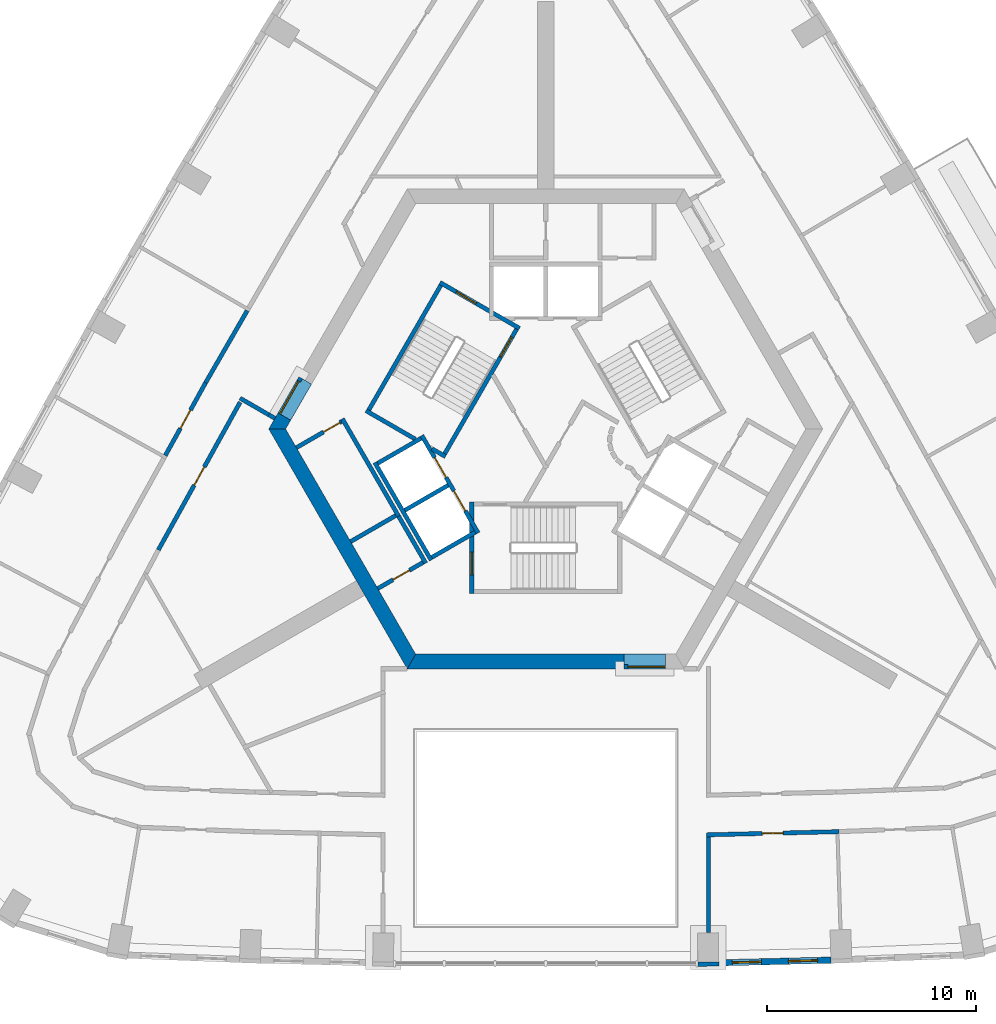
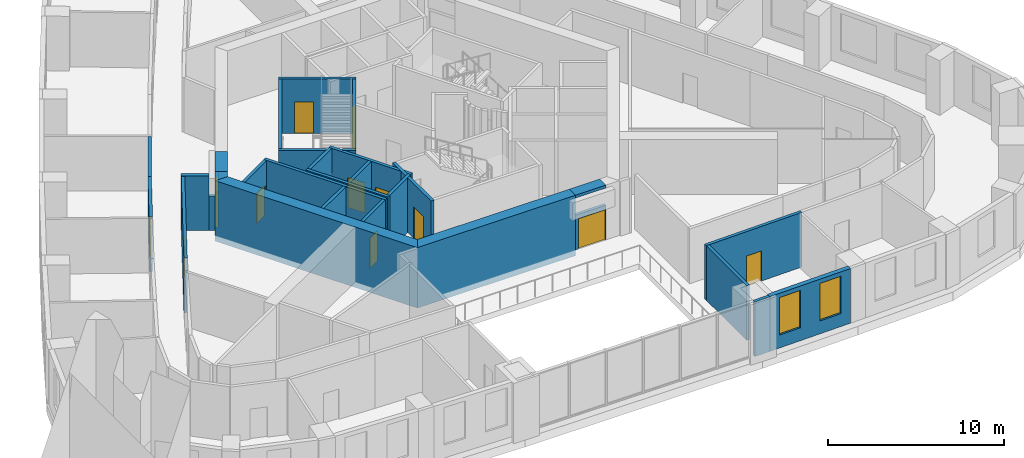
# One storey, part 5 of 13: 32 walls, 12 doors, 2 windows, 14 openings.
"""IFC4 building model written with IfcOpenShell, lengths in metres."""

from ifc_helpers import new_model, si_unit, direction, frame, frame_2d, origin, place, context, subcontext, project, spatial, polyline, rectangle, outline, extrude, material, layer, layer_set, type_object, element, fill, save


model = new_model("IFC4")

# Units and contexts
model_context = context("Model", 3, precision=1e-05, world=origin(), true_north=direction((0.0, 1.0)))
body_context = subcontext(model_context, "Body", "Model", "MODEL_VIEW")
ifc_project = project(units=[si_unit("LENGTHUNIT", "METRE"), si_unit("AREAUNIT", "SQUARE_METRE"), si_unit("VOLUMEUNIT", "CUBIC_METRE"), si_unit("PLANEANGLEUNIT", "RADIAN"), si_unit("MASSUNIT", "GRAM", prefix="KILO")], contexts=[model_context])

# Site, building, storey
site_placement = place(None, origin())
site = spatial("IfcSite", under=ifc_project, at=site_placement, CompositionType="ELEMENT")
building_placement = place(site_placement, origin())
building = spatial("IfcBuilding", under=site, at=building_placement, Name="Entoto Arch Interchange Tower", CompositionType="ELEMENT")
storey_placement = place(building_placement, frame((0.0, 0.0, 215.0)))
storey = spatial("IfcBuildingStorey", under=building, at=storey_placement, Name="L48", CompositionType="ELEMENT", Elevation=215.0)

# Wall, opening, door
ifc_material_1 = material(Name="Reinforced concrete C40/50", Category="concrete")
ifc_layer_1 = layer(ifc_material_1, 0.199951171875)
ifc_layer_set_1 = layer_set([ifc_layer_1], Name="Reinforced concrete C40/50")
wall_type_1 = type_object("IfcWallType", Name="CORE GAP INFILL WALL", PredefinedType="PARTITIONING", material=ifc_layer_set_1)
wall_1_placement = place(storey_placement, frame((3.75, -8.89990234375, 0.0), z_axis=(0.0, 0.0, 1.0), x_axis=(1.0, 0.0, 0.0)))
wall_1 = element("IfcWall", 1, at=wall_1_placement, inside=storey, type_object=wall_type_1, Name="wall:L48:gap1", PredefinedType="PARTITIONING", context=body_context, shape_type="SweptSolid", body=[
    extrude(rectangle(XDim=2.0, YDim=0.199951171875, at=frame_2d((1.0, 0.0))), origin(), (0.0, 0.0, 1.0), 2.39990234375),
])
opening_1_placement = place(wall_1_placement, frame((0.18994140625, 0.0, 0.0)))
opening_1 = element("IfcOpeningElement", 2, at=opening_1_placement, cuts=wall_1, Name="Opening L48-D91", PredefinedType="OPENING", context=body_context, shape_type="SweptSolid", body=[
    extrude(rectangle(XDim=1.800048828125, YDim=2.10009765625, at=frame_2d((0.89990234375, 1.050048828125))), frame((0.0, 0.10986328125, 0.0), z_axis=(0.0, -1.0, 0.0), x_axis=(1.0, 0.0, 0.0)), (0.0, 0.0, 1.0), 0.219970703125),
])
ifc_material_2 = material(Name="Fire-rated Steel S235 door and frame", Category="steel")
door_type_1 = type_object("IfcDoorType", Name="DOOR FD-18 1800x2100", OperationType="DOUBLE_DOOR_SINGLE_SWING", PredefinedType="DOOR", material=ifc_material_2)
door_1_placement = place(opening_1_placement, origin())
door_1 = element("IfcDoor", 3, at=door_1_placement, inside=storey, type_object=door_type_1, Name="door:L48:gap1", OperationType="DOUBLE_DOOR_SINGLE_SWING", OverallHeight=2.10009765625, OverallWidth=1.800048828125, PredefinedType="DOOR", context=body_context, shape_type="SweptSolid", body=[
    extrude(rectangle(XDim=1.800048828125, YDim=2.10009765625, at=frame_2d((0.89990234375, 1.050048828125))), frame((0.0, 0.02490234375, 0.0), z_axis=(0.0, -1.0, 0.0), x_axis=(1.0, 0.0, 0.0)), (0.0, 0.0, 1.0), 0.050048828125),
])
fill(opening_1, door_1)

wall_2_placement = place(storey_placement, frame((-11.7470703125, 4.951904296875, 0.0), z_axis=(0.0, 0.0, 1.0), x_axis=(-0.50002537861, -0.866010750942, 0.0)))
wall_2 = element("IfcWall", 4, at=wall_2_placement, inside=storey, type_object=wall_type_1, Name="wall:L48:gap3", PredefinedType="PARTITIONING", context=body_context, shape_type="SweptSolid", body=[
    extrude(rectangle(XDim=2.0, YDim=0.199951171875, at=frame_2d((1.0, 0.0))), origin(), (0.0, 0.0, 1.0), 2.39990234375),
])
opening_2_placement = place(wall_2_placement, frame((0.18994140625, 0.0, 0.0)))
opening_2 = element("IfcOpeningElement", 5, at=opening_2_placement, cuts=wall_2, Name="Opening L48-D93", PredefinedType="OPENING", context=body_context, shape_type="SweptSolid", body=[
    extrude(rectangle(XDim=1.800048828125, YDim=2.10009765625, at=frame_2d((0.89990234375, 1.050048828125))), frame((0.0, 0.10986328125, 0.0), z_axis=(0.0, -1.0, 0.0), x_axis=(1.0, 0.0, 0.0)), (0.0, 0.0, 1.0), 0.219970703125),
])
door_2_placement = place(opening_2_placement, origin())
door_2 = element("IfcDoor", 6, at=door_2_placement, inside=storey, type_object=door_type_1, Name="door:L48:gap3", OperationType="DOUBLE_DOOR_SINGLE_SWING", OverallHeight=2.10009765625, OverallWidth=1.800048828125, PredefinedType="DOOR", context=body_context, shape_type="SweptSolid", body=[
    extrude(rectangle(XDim=1.800048828125, YDim=2.10009765625, at=frame_2d((0.89990234375, 1.050048828125))), frame((0.0, 0.02490234375, 0.0), z_axis=(0.0, -1.0, 0.0), x_axis=(1.0, 0.0, 0.0)), (0.0, 0.0, 1.0), 0.050048828125),
])
fill(opening_2, door_2)

# Walls
ifc_material_3 = material(Name="Concrete C50/60", Category="concrete")
ifc_layer_2 = layer(ifc_material_3, 0.699951171875)
ifc_layer_set_2 = layer_set([ifc_layer_2], Name="Concrete C50/60")
wall_type_2 = type_object("IfcWallType", Name="Core wall 700 C50/60", PredefinedType="SHEAR", material=ifc_layer_set_2)
wall_3_placement = place(storey_placement, frame((0.0, 0.0, -0.39990234375)))
element("IfcWall", 7, at=wall_3_placement, inside=storey, type_object=wall_type_2, Name="Core wall NW L48", PredefinedType="SHEAR", context=body_context, shape_type="SweptSolid", body=[
    extrude(outline(polyline([(-12.22802734375, 2.919921875), (-12.833984375, 3.27001953125), (-13.279052734375, 2.5), (-12.470947265625, 2.5), (-12.22802734375, 2.919921875)])), origin(), (0.0, 0.0, 1.0), 4.199951171875),
])
wall_4_placement = place(storey_placement, frame((0.0, 0.0, 3.60009765625)))
element("IfcWall", 8, at=wall_4_placement, inside=storey, type_object=wall_type_2, Name="Core wall lintel NW L48", PredefinedType="SHEAR", context=body_context, shape_type="SweptSolid", body=[
    extrude(outline(polyline([(-12.833984375, 3.27001953125), (-12.22802734375, 2.919921875), (-11.22802734375, 4.652099609375), (-11.833984375, 5.001953125), (-12.833984375, 3.27001953125)])), origin(), (0.0, 0.0, 1.0), 0.199951171875),
])
wall_5_placement = place(storey_placement, frame((0.0, 0.0, -0.39990234375)))
element("IfcWall", 9, at=wall_5_placement, inside=storey, type_object=wall_type_2, Name="Core wall SW L48", PredefinedType="SHEAR", context=body_context, shape_type="SweptSolid", body=[
    extrude(outline(polyline([(-13.279052734375, 2.5), (-6.639892578125, -9.0), (-6.235107421875, -8.300048828125), (-12.470947265625, 2.5), (-13.279052734375, 2.5)])), origin(), (0.0, 0.0, 1.0), 4.199951171875),
])
wall_6_placement = place(storey_placement, frame((0.0, 0.0, -0.39990234375)))
element("IfcWall", 10, at=wall_6_placement, inside=storey, type_object=wall_type_2, Name="Core wall S L48", PredefinedType="SHEAR", context=body_context, shape_type="SweptSolid", body=[
    extrude(outline(polyline([(3.75, -9.0), (3.75, -8.300048828125), (-6.235107421875, -8.300048828125), (-6.639892578125, -9.0), (3.75, -9.0)])), origin(), (0.0, 0.0, 1.0), 4.199951171875),
])
wall_7_placement = place(storey_placement, frame((0.0, 0.0, 3.60009765625)))
element("IfcWall", 11, at=wall_7_placement, inside=storey, type_object=wall_type_2, Name="Core wall lintel S L48", PredefinedType="SHEAR", context=body_context, shape_type="SweptSolid", body=[
    extrude(outline(polyline([(5.75, -9.0), (5.75, -8.300048828125), (3.75, -8.300048828125), (3.75, -9.0), (5.75, -9.0)])), origin(), (0.0, 0.0, 1.0), 0.199951171875),
])

# Wall, openings, doors
ifc_material_4 = material(Name="Concrete C40/50", Category="concrete")
ifc_layer_3 = layer(ifc_material_4, 0.199951171875)
ifc_layer_set_3 = layer_set([ifc_layer_3], Name="Concrete C40/50")
wall_type_3 = type_object("IfcWallType", Name="LIFT SHAFT WALL 200", PredefinedType="STANDARD", material=ifc_layer_set_3)
wall_8_placement = place(storey_placement, frame((-5.93994140625, 2.18798828125, 0.0), z_axis=(0.0, 0.0, 1.0), x_axis=(0.500034260056, -0.866005622828, 0.0)))
wall_8 = element("IfcWall", 12, at=wall_8_placement, inside=storey, type_object=wall_type_3, Name="Shaft wall SW1 front", PredefinedType="STANDARD", context=body_context, shape_type="SweptSolid", body=[
    extrude(rectangle(XDim=5.3994140625, YDim=0.199951171875, at=frame_2d((2.69970703125, 0.0))), origin(), (0.0, 0.0, 1.0), 3.800048828125),
])
opening_3_placement = place(wall_8_placement, frame((3.074951171875, 0.0, 0.0)))
opening_3 = element("IfcOpeningElement", 13, at=opening_3_placement, cuts=wall_8, Name="Opening LD-HR4-L48", PredefinedType="OPENING", context=body_context, shape_type="SweptSolid", body=[
    extrude(rectangle(XDim=1.10009765625, YDim=2.10009765625, at=frame_2d((0.550048828125, 1.050048828125))), frame((0.0, 0.10986328125, 0.0), z_axis=(0.0, -1.0, 0.0), x_axis=(1.0, 0.0, 0.0)), (0.0, 0.0, 1.0), 0.219970703125),
])
opening_4_placement = place(wall_8_placement, frame((1.22509765625, 0.0, 0.0)))
opening_4 = element("IfcOpeningElement", 14, at=opening_4_placement, cuts=wall_8, Name="Opening LD-FF2-L48", PredefinedType="OPENING", context=body_context, shape_type="SweptSolid", body=[
    extrude(rectangle(XDim=1.10009765625, YDim=2.10009765625, at=frame_2d((0.550048828125, 1.050048828125))), frame((0.0, 0.10986328125, 0.0), z_axis=(0.0, -1.0, 0.0), x_axis=(1.0, 0.0, 0.0)), (0.0, 0.0, 1.0), 0.219970703125),
])
ifc_material_5 = material(Name="Stainless steel 1.4301 panels", Category="steel")
door_type_2 = type_object("IfcDoorType", Name="LIFT LANDING DOOR LD1 1100x2100", OperationType="SLIDING_TO_LEFT", PredefinedType="DOOR", material=ifc_material_5)
door_3_placement = place(opening_3_placement, origin())
door_3 = element("IfcDoor", 15, at=door_3_placement, inside=storey, type_object=door_type_2, Name="Lift landing door HR4 L48", OperationType="SLIDING_TO_LEFT", OverallHeight=2.10009765625, OverallWidth=1.10009765625, PredefinedType="DOOR", context=body_context, shape_type="SweptSolid", body=[
    extrude(rectangle(XDim=1.10009765625, YDim=2.10009765625, at=frame_2d((0.550048828125, 1.050048828125))), frame((0.0, 0.02490234375, 0.0), z_axis=(0.0, -1.0, 0.0), x_axis=(1.0, 0.0, 0.0)), (0.0, 0.0, 1.0), 0.050048828125),
])
fill(opening_3, door_3)
door_4_placement = place(opening_4_placement, origin())
door_4 = element("IfcDoor", 16, at=door_4_placement, inside=storey, type_object=door_type_2, Name="Lift landing door FF2 L48", OperationType="SLIDING_TO_LEFT", OverallHeight=2.10009765625, OverallWidth=1.10009765625, PredefinedType="DOOR", context=body_context, shape_type="SweptSolid", body=[
    extrude(rectangle(XDim=1.10009765625, YDim=2.10009765625, at=frame_2d((0.550048828125, 1.050048828125))), frame((0.0, 0.02490234375, 0.0), z_axis=(0.0, -1.0, 0.0), x_axis=(1.0, 0.0, 0.0)), (0.0, 0.0, 1.0), 0.050048828125),
])
fill(opening_4, door_4)

# Walls
wall_9_placement = place(storey_placement, frame((-8.19189453125, 0.887939453125, 0.0), z_axis=(0.0, 0.0, 1.0), x_axis=(0.500034260056, -0.866005622828, 0.0)))
element("IfcWall", 17, at=wall_9_placement, inside=storey, type_object=wall_type_3, Name="Shaft wall SW1 back", PredefinedType="STANDARD", context=body_context, shape_type="SweptSolid", body=[
    extrude(rectangle(XDim=5.3994140625, YDim=0.199951171875, at=frame_2d((2.69970703125, 0.0))), origin(), (0.0, 0.0, 1.0), 3.800048828125),
])
for number, where, z_axis, x_axis, name in (
    (18, (-5.97705078125, 2.052001953125, 0.0), (0.0, 0.0, 1.0), (-0.865973769406, -0.500089422704, 0.0), "Shaft wall SW1 cross 1"),
    (19, (-4.677001953125, -0.199951171875, 0.0), (0.0, 0.0, 1.0), (-0.865973769406, -0.500089422704, 0.0), "Shaft wall SW1 cross 2"),
):
    element("IfcWall", number, at=place(storey_placement, frame(where, z_axis=z_axis, x_axis=x_axis)), inside=storey, type_object=wall_type_3, Name=name, PredefinedType="STANDARD", context=body_context, shape_type="SweptSolid", body=[
        extrude(rectangle(XDim=2.3994140625, YDim=0.199951171875, at=frame_2d((1.19970703125, 0.0))), origin(), (0.0, 0.0, 1.0), 3.800048828125),
    ])
wall_10_placement = place(storey_placement, frame((-3.376953125, -2.451904296875, 0.0), z_axis=(0.0, 0.0, 1.0), x_axis=(-0.865955154139, -0.50012165622, 0.0)))
element("IfcWall", 20, at=wall_10_placement, inside=storey, type_object=wall_type_3, Name="Shaft wall SW1 cross 3", PredefinedType="STANDARD", context=body_context, shape_type="SweptSolid", body=[
    extrude(rectangle(XDim=2.39990234375, YDim=0.199951171875, at=frame_2d((1.199951171875, 0.0))), origin(), (0.0, 0.0, 1.0), 3.800048828125),
])
ifc_material_6 = material(Name="Gypsum board partition on steel studs", Category="steel")
ifc_layer_4 = layer(ifc_material_6, 0.199951171875)
ifc_layer_set_4 = layer_set([ifc_layer_4], Name="Gypsum board partition on steel studs")
wall_type_4 = type_object("IfcWallType", Name="PARTITION 200", PredefinedType="PARTITIONING", material=ifc_layer_set_4)
wall_11_placement = place(storey_placement, frame((-12.98388671875, 3.010009765625, 0.0), z_axis=(0.0, 0.0, 1.0), x_axis=(-0.866046247233, 0.49996389635, 0.0)))
element("IfcWall", 21, at=wall_11_placement, inside=storey, type_object=wall_type_4, Name="wall:L48:p024", PredefinedType="PARTITIONING", context=body_context, shape_type="SweptSolid", body=[
    extrude(rectangle(XDim=0.35009765625, YDim=0.199951171875, at=frame_2d((0.175048828125, 0.0))), origin(), (0.0, 0.0, 1.0), 2.39990234375),
])

# Wall, opening, door
wall_12_placement = place(storey_placement, frame((-14.652099609375, 3.782958984375, 0.0), z_axis=(0.0, 0.0, 1.0), x_axis=(-0.484249955458, -0.874929700398, 0.0)))
wall_12 = element("IfcWall", 22, at=wall_12_placement, inside=storey, type_object=wall_type_4, Name="wall:L48:p025", PredefinedType="PARTITIONING", context=body_context, shape_type="SweptSolid", body=[
    extrude(rectangle(XDim=8.098876953125, YDim=0.199951171875, at=frame_2d((4.04931640625, 0.0))), origin(), (0.0, 0.0, 1.0), 3.800048828125),
])
opening_5_placement = place(wall_12_placement, frame((3.550048828125, 0.0, 0.0)))
opening_5 = element("IfcOpeningElement", 23, at=opening_5_placement, cuts=wall_12, Name="Opening L48-D21", PredefinedType="OPENING", context=body_context, shape_type="SweptSolid", body=[
    extrude(rectangle(XDim=1.0, YDim=2.10009765625, at=frame_2d((0.5, 1.050048828125))), frame((0.0, 0.10986328125, 0.0), z_axis=(0.0, -1.0, 0.0), x_axis=(1.0, 0.0, 0.0)), (0.0, 0.0, 1.0), 0.219970703125),
])
ifc_material_7 = material(Name="Timber door leaf in Steel S235 frame", Category="steel")
door_type_3 = type_object("IfcDoorType", Name="DOOR DS-10 1000x2100", OperationType="SINGLE_SWING_LEFT", PredefinedType="DOOR", material=ifc_material_7)
door_5_placement = place(opening_5_placement, origin())
door_5 = element("IfcDoor", 24, at=door_5_placement, inside=storey, type_object=door_type_3, Name="door:L48:21", OperationType="SINGLE_SWING_LEFT", OverallHeight=2.10009765625, OverallWidth=1.0, PredefinedType="DOOR", context=body_context, shape_type="SweptSolid", body=[
    extrude(rectangle(XDim=1.0, YDim=2.10009765625, at=frame_2d((0.5, 1.050048828125))), frame((0.0, 0.02490234375, 0.0), z_axis=(0.0, -1.0, 0.0), x_axis=(1.0, 0.0, 0.0)), (0.0, 0.0, 1.0), 0.050048828125),
])
fill(opening_5, door_5)

wall_13_placement = place(storey_placement, frame((14.06298828125, -16.80810546875, 0.0), z_axis=(0.0, 0.0, 1.0), x_axis=(-0.999707980382, -0.024165139379, 0.0)))
wall_13 = element("IfcWall", 25, at=wall_13_placement, inside=storey, type_object=wall_type_4, Name="wall:L48:p035", PredefinedType="PARTITIONING", context=body_context, shape_type="SweptSolid", body=[
    extrude(rectangle(XDim=6.364990234375, YDim=0.199951171875, at=frame_2d((3.1826171875, 0.0))), origin(), (0.0, 0.0, 1.0), 3.800048828125),
])
opening_6_placement = place(wall_13_placement, frame((2.68310546875, 0.0, 0.0)))
opening_6 = element("IfcOpeningElement", 26, at=opening_6_placement, cuts=wall_13, Name="Opening L48-D01", PredefinedType="OPENING", context=body_context, shape_type="SweptSolid", body=[
    extrude(rectangle(XDim=1.0, YDim=2.10009765625, at=frame_2d((0.5, 1.050048828125))), frame((0.0, 0.10986328125, 0.0), z_axis=(0.0, -1.0, 0.0), x_axis=(1.0, 0.0, 0.0)), (0.0, 0.0, 1.0), 0.219970703125),
])
door_6_placement = place(opening_6_placement, origin())
door_6 = element("IfcDoor", 27, at=door_6_placement, inside=storey, type_object=door_type_3, Name="door:L48:01", OperationType="SINGLE_SWING_LEFT", OverallHeight=2.10009765625, OverallWidth=1.0, PredefinedType="DOOR", context=body_context, shape_type="SweptSolid", body=[
    extrude(rectangle(XDim=1.0, YDim=2.10009765625, at=frame_2d((0.5, 1.050048828125))), frame((0.0, 0.02490234375, 0.0), z_axis=(0.0, -1.0, 0.0), x_axis=(1.0, 0.0, 0.0)), (0.0, 0.0, 1.0), 0.050048828125),
])
fill(opening_6, door_6)

wall_14_placement = place(storey_placement, frame((-18.239990234375, 1.22509765625, 0.0), z_axis=(0.0, 0.0, 1.0), x_axis=(0.484411997038, 0.874839995156, 0.0)))
wall_14 = element("IfcWall", 28, at=wall_14_placement, inside=storey, type_object=wall_type_4, Name="wall:L48:p055", PredefinedType="PARTITIONING", context=body_context, shape_type="SweptSolid", body=[
    extrude(rectangle(XDim=3.99267578125, YDim=0.199951171875, at=frame_2d((1.996337890625, 0.0))), origin(), (0.0, 0.0, 1.0), 3.800048828125),
])
opening_7_placement = place(wall_14_placement, frame((1.49609375, 0.0, 0.0)))
opening_7 = element("IfcOpeningElement", 29, at=opening_7_placement, cuts=wall_14, Name="Opening L48-D10", PredefinedType="OPENING", context=body_context, shape_type="SweptSolid", body=[
    extrude(rectangle(XDim=1.0, YDim=2.10009765625, at=frame_2d((0.5, 1.050048828125))), frame((0.0, 0.10986328125, 0.0), z_axis=(0.0, -1.0, 0.0), x_axis=(1.0, 0.0, 0.0)), (0.0, 0.0, 1.0), 0.219970703125),
])
door_7_placement = place(opening_7_placement, origin())
door_7 = element("IfcDoor", 30, at=door_7_placement, inside=storey, type_object=door_type_3, Name="door:L48:10", OperationType="SINGLE_SWING_LEFT", OverallHeight=2.10009765625, OverallWidth=1.0, PredefinedType="DOOR", context=body_context, shape_type="SweptSolid", body=[
    extrude(rectangle(XDim=1.0, YDim=2.10009765625, at=frame_2d((0.5, 1.050048828125))), frame((0.0, 0.02490234375, 0.0), z_axis=(0.0, -1.0, 0.0), x_axis=(1.0, 0.0, 0.0)), (0.0, 0.0, 1.0), 0.050048828125),
])
fill(opening_7, door_7)

# Walls
wall_15_placement = place(storey_placement, frame((-16.305908203125, 4.718017578125, 0.0), z_axis=(0.0, 0.0, 1.0), x_axis=(0.499803646539, 0.866138738832, 0.0)))
element("IfcWall", 31, at=wall_15_placement, inside=storey, type_object=wall_type_4, Name="wall:L48:p056", PredefinedType="PARTITIONING", context=body_context, shape_type="SweptSolid", body=[
    extrude(rectangle(XDim=3.9912109375, YDim=0.199951171875, at=frame_2d((1.99560546875, 0.0))), origin(), (0.0, 0.0, 1.0), 3.800048828125),
])
wall_16_placement = place(storey_placement, frame((-7.18798828125, -1.64990234375, 0.0), z_axis=(0.0, 0.0, 1.0), x_axis=(-0.866022959057, -0.500004234368, 0.0)))
element("IfcWall", 32, at=wall_16_placement, inside=storey, type_object=wall_type_4, Name="wall:L48:p078", PredefinedType="PARTITIONING", context=body_context, shape_type="SweptSolid", body=[
    extrude(rectangle(XDim=2.5, YDim=0.199951171875, at=frame_2d((1.25, 0.0))), origin(), (0.0, 0.0, 1.0), 3.800048828125),
])

# Wall, opening, door
wall_17_placement = place(storey_placement, frame((-11.952880859375, 1.60302734375, 0.0), z_axis=(0.0, 0.0, 1.0), x_axis=(0.865998541277, 0.500046524342, 0.0)))
wall_17 = element("IfcWall", 33, at=wall_17_placement, inside=storey, type_object=wall_type_4, Name="wall:L48:p079", PredefinedType="PARTITIONING", context=body_context, shape_type="SweptSolid", body=[
    extrude(rectangle(XDim=2.499755859375, YDim=0.199951171875, at=frame_2d((1.25, 0.0))), origin(), (0.0, 0.0, 1.0), 3.800048828125),
])
opening_8_placement = place(wall_17_placement, frame((1.5, 0.0, 0.0)))
opening_8 = element("IfcOpeningElement", 34, at=opening_8_placement, cuts=wall_17, Name="Opening L48-D34", PredefinedType="OPENING", context=body_context, shape_type="SweptSolid", body=[
    extrude(rectangle(XDim=0.89990234375, YDim=2.10009765625, at=frame_2d((0.449951171875, 1.050048828125))), frame((0.0, 0.10986328125, 0.0), z_axis=(0.0, -1.0, 0.0), x_axis=(1.0, 0.0, 0.0)), (0.0, 0.0, 1.0), 0.219970703125),
])
door_type_4 = type_object("IfcDoorType", Name="DOOR DS-09 900x2100", OperationType="SINGLE_SWING_LEFT", PredefinedType="DOOR", material=ifc_material_7)
door_8_placement = place(opening_8_placement, origin())
door_8 = element("IfcDoor", 35, at=door_8_placement, inside=storey, type_object=door_type_4, Name="door:L48:34", OperationType="SINGLE_SWING_LEFT", OverallHeight=2.10009765625, OverallWidth=0.89990234375, PredefinedType="DOOR", context=body_context, shape_type="SweptSolid", body=[
    extrude(rectangle(XDim=0.89990234375, YDim=2.10009765625, at=frame_2d((0.449951171875, 1.050048828125))), frame((0.0, 0.02490234375, 0.0), z_axis=(0.0, -1.0, 0.0), x_axis=(1.0, 0.0, 0.0)), (0.0, 0.0, 1.0), 0.050048828125),
])
fill(opening_8, door_8)

# Walls
wall_18_placement = place(storey_placement, frame((-9.7509765625, 2.989990234375, 0.0), z_axis=(0.0, 0.0, 1.0), x_axis=(0.499955951776, -0.866050833545, 0.0)))
element("IfcWall", 36, at=wall_18_placement, inside=storey, type_object=wall_type_4, Name="wall:L48:p080", PredefinedType="PARTITIONING", context=body_context, shape_type="SweptSolid", body=[
    extrude(rectangle(XDim=5.400390625, YDim=0.199951171875, at=frame_2d((2.7001953125, 0.0))), origin(), (0.0, 0.0, 1.0), 3.800048828125),
])
wall_19_placement = place(storey_placement, frame((-7.051025390625, -1.68701171875, 0.0), z_axis=(0.0, 0.0, 1.0), x_axis=(0.500128937424, -0.865950948929, 0.0)))
element("IfcWall", 37, at=wall_19_placement, inside=storey, type_object=wall_type_4, Name="wall:L48:p081", PredefinedType="PARTITIONING", context=body_context, shape_type="SweptSolid", body=[
    extrude(rectangle(XDim=2.599365234375, YDim=0.199951171875, at=frame_2d((1.2998046875, 0.0))), origin(), (0.0, 0.0, 1.0), 3.800048828125),
])

# Wall, opening, door
wall_20_placement = place(storey_placement, frame((-5.887939453125, -3.902099609375, 0.0), z_axis=(0.0, 0.0, 1.0), x_axis=(-0.866022959057, -0.500004234368, 0.0)))
wall_20 = element("IfcWall", 38, at=wall_20_placement, inside=storey, type_object=wall_type_4, Name="wall:L48:p082", PredefinedType="PARTITIONING", context=body_context, shape_type="SweptSolid", body=[
    extrude(rectangle(XDim=2.5, YDim=0.199951171875, at=frame_2d((1.25, 0.0))), origin(), (0.0, 0.0, 1.0), 3.800048828125),
])
opening_9_placement = place(wall_20_placement, frame((0.75, 0.0, 0.0)))
opening_9 = element("IfcOpeningElement", 39, at=opening_9_placement, cuts=wall_20, Name="Opening L48-D35", PredefinedType="OPENING", context=body_context, shape_type="SweptSolid", body=[
    extrude(rectangle(XDim=0.89990234375, YDim=2.10009765625, at=frame_2d((0.449951171875, 1.050048828125))), frame((0.0, 0.10986328125, 0.0), z_axis=(0.0, -1.0, 0.0), x_axis=(1.0, 0.0, 0.0)), (0.0, 0.0, 1.0), 0.219970703125),
])
door_9_placement = place(opening_9_placement, origin())
door_9 = element("IfcDoor", 40, at=door_9_placement, inside=storey, type_object=door_type_4, Name="door:L48:35", OperationType="SINGLE_SWING_RIGHT", OverallHeight=2.10009765625, OverallWidth=0.89990234375, PredefinedType="DOOR", context=body_context, shape_type="SweptSolid", body=[
    extrude(rectangle(XDim=0.89990234375, YDim=2.10009765625, at=frame_2d((0.449951171875, 1.050048828125))), frame((0.0, 0.02490234375, 0.0), z_axis=(0.0, -1.0, 0.0), x_axis=(1.0, 0.0, 0.0)), (0.0, 0.0, 1.0), 0.050048828125),
])
fill(opening_9, door_9)

# Walls
wall_21_placement = place(storey_placement, frame((7.800048828125, -17.05908203125, 0.0), z_axis=(0.0, 0.0, 1.0), x_axis=(0.0, -1.0, 0.0)))
element("IfcWall", 41, at=wall_21_placement, inside=storey, type_object=wall_type_4, Name="wall:L48:p105", PredefinedType="PARTITIONING", context=body_context, shape_type="SweptSolid", body=[
    extrude(rectangle(XDim=4.58203125, YDim=0.199951171875, at=frame_2d((2.291015625, 0.0))), origin(), (0.0, 0.0, 1.0), 3.800048828125),
])
wall_22_placement = place(storey_placement, frame((-13.287109375, 3.18505859375, 0.0), z_axis=(0.0, 0.0, 1.0), x_axis=(-0.865992812752, 0.500056445075, 0.0)))
element("IfcWall", 42, at=wall_22_placement, inside=storey, type_object=wall_type_4, Name="wall:L48:p024", PredefinedType="PARTITIONING", context=body_context, shape_type="SweptSolid", body=[
    extrude(rectangle(XDim=1.581787109375, YDim=0.199951171875, at=frame_2d((0.791015625, 0.0))), origin(), (0.0, 0.0, 1.0), 3.800048828125),
])

# Wall, opening, door
ifc_layer_5 = layer(ifc_material_4, 0.199951171875)
ifc_layer_set_5 = layer_set([ifc_layer_5], Name="Concrete C40/50")
wall_type_5 = type_object("IfcWallType", Name="STAIR ENCLOSURE WALL 200", PredefinedType="STANDARD", material=ifc_layer_set_5)
wall_23_placement = place(storey_placement, frame((-3.550048828125, -1.0, 0.0), z_axis=(0.0, 0.0, 1.0), x_axis=(0.0, -1.0, 0.0)))
wall_23 = element("IfcWall", 43, at=wall_23_placement, inside=storey, type_object=wall_type_5, Name="Stair wall ST-S near", PredefinedType="STANDARD", context=body_context, shape_type="SweptSolid", body=[
    extrude(rectangle(XDim=4.39990234375, YDim=0.199951171875, at=frame_2d((2.199951171875, 0.0))), origin(), (0.0, 0.0, 1.0), 3.800048828125),
])
opening_10_placement = place(wall_23_placement, frame((2.39990234375, 0.0, 0.0)))
opening_10 = element("IfcOpeningElement", 44, at=opening_10_placement, cuts=wall_23, Name="Opening SD-ST-S-L48-E", PredefinedType="OPENING", context=body_context, shape_type="SweptSolid", body=[
    extrude(rectangle(XDim=1.10009765625, YDim=2.199951171875, at=frame_2d((0.550048828125, 1.10009765625))), frame((0.0, 0.10986328125, 0.0), z_axis=(0.0, -1.0, 0.0), x_axis=(1.0, 0.0, 0.0)), (0.0, 0.0, 1.0), 0.219970703125),
])
ifc_material_8 = material(Name="Steel S235", Category="steel")
door_type_5 = type_object("IfcDoorType", Name="STAIR DOOR SD1 1100x2200", OperationType="SINGLE_SWING_LEFT", PredefinedType="DOOR", material=ifc_material_8)
door_10_placement = place(opening_10_placement, origin())
door_10 = element("IfcDoor", 45, at=door_10_placement, inside=storey, type_object=door_type_5, Name="Stair door ST-S L48 end", OperationType="SINGLE_SWING_LEFT", OverallHeight=2.199951171875, OverallWidth=1.10009765625, PredefinedType="DOOR", context=body_context, shape_type="SweptSolid", body=[
    extrude(rectangle(XDim=1.10009765625, YDim=2.199951171875, at=frame_2d((0.550048828125, 1.10009765625))), frame((0.0, 0.02490234375, 0.0), z_axis=(0.0, -1.0, 0.0), x_axis=(1.0, 0.0, 0.0)), (0.0, 0.0, 1.0), 0.050048828125),
])
fill(opening_10, door_10)

wall_24_placement = place(storey_placement, frame((-1.256103515625, 7.323974609375, 0.0), z_axis=(0.0, 0.0, 1.0), x_axis=(-0.866046073146, 0.499964197906, 0.0)))
wall_24 = element("IfcWall", 46, at=wall_24_placement, inside=storey, type_object=wall_type_5, Name="Stair wall ST-NW near", PredefinedType="STANDARD", context=body_context, shape_type="SweptSolid", body=[
    extrude(rectangle(XDim=4.400146484375, YDim=0.199951171875, at=frame_2d((2.2001953125, 0.0))), origin(), (0.0, 0.0, 1.0), 3.800048828125),
])
opening_11_placement = place(wall_24_placement, frame((2.39990234375, 0.0, 0.0)))
opening_11 = element("IfcOpeningElement", 47, at=opening_11_placement, cuts=wall_24, Name="Opening SD-ST-NW-L48-E", PredefinedType="OPENING", context=body_context, shape_type="SweptSolid", body=[
    extrude(rectangle(XDim=1.10009765625, YDim=2.199951171875, at=frame_2d((0.550048828125, 1.10009765625))), frame((0.0, 0.10986328125, 0.0), z_axis=(0.0, -1.0, 0.0), x_axis=(1.0, 0.0, 0.0)), (0.0, 0.0, 1.0), 0.219970703125),
])
door_11_placement = place(opening_11_placement, origin())
door_11 = element("IfcDoor", 48, at=door_11_placement, inside=storey, type_object=door_type_5, Name="Stair door ST-NW L48 end", OperationType="SINGLE_SWING_LEFT", OverallHeight=2.199951171875, OverallWidth=1.10009765625, PredefinedType="DOOR", context=body_context, shape_type="SweptSolid", body=[
    extrude(rectangle(XDim=1.10009765625, YDim=2.199951171875, at=frame_2d((0.550048828125, 1.10009765625))), frame((0.0, 0.02490234375, 0.0), z_axis=(0.0, -1.0, 0.0), x_axis=(1.0, 0.0, 0.0)), (0.0, 0.0, 1.0), 0.050048828125),
])
fill(opening_11, door_11)

# Walls
wall_25_placement = place(storey_placement, frame((-6.25, 2.010009765625, 0.0), z_axis=(0.0, 0.0, 1.0), x_axis=(-0.86611865017, 0.499838457731, 0.0)))
element("IfcWall", 49, at=wall_25_placement, inside=storey, type_object=wall_type_5, Name="Stair wall ST-NW far", PredefinedType="STANDARD", context=body_context, shape_type="SweptSolid", body=[
    extrude(rectangle(XDim=2.73291015625, YDim=0.199951171875, at=frame_2d((1.366455078125, 0.0))), origin(), (0.0, 0.0, 1.0), 3.800048828125),
])
wall_26_placement = place(storey_placement, frame((-4.805908203125, 1.176025390625, 0.0), z_axis=(0.0, 0.0, 1.0), x_axis=(-0.866558586415, 0.499075361355, 0.0)))
element("IfcWall", 50, at=wall_26_placement, inside=storey, type_object=wall_type_5, Name="Stair wall ST-NW far return", PredefinedType="STANDARD", context=body_context, shape_type="SweptSolid", body=[
    extrude(rectangle(XDim=0.75146484375, YDim=0.199951171875, at=frame_2d((0.375732421875, 0.0))), origin(), (0.0, 0.0, 1.0), 3.800048828125),
])

# Wall, opening, door
wall_27_placement = place(storey_placement, frame((-1.39306640625, 7.2880859375, 0.0), z_axis=(0.0, 0.0, 1.0), x_axis=(-0.499963383562, -0.866046543262, 0.0)))
wall_27 = element("IfcWall", 51, at=wall_27_placement, inside=storey, type_object=wall_type_5, Name="Stair wall ST-NW hall", PredefinedType="STANDARD", context=body_context, shape_type="SweptSolid", body=[
    extrude(rectangle(XDim=6.900390625, YDim=0.199951171875, at=frame_2d((3.4501953125, 0.0))), origin(), (0.0, 0.0, 1.0), 3.800048828125),
])
opening_12_placement = place(wall_27_placement, frame((0.449951171875, 0.0, 0.0)))
opening_12 = element("IfcOpeningElement", 52, at=opening_12_placement, cuts=wall_27, Name="Opening SD-ST-NW-L48", PredefinedType="OPENING", context=body_context, shape_type="SweptSolid", body=[
    extrude(rectangle(XDim=1.10009765625, YDim=2.199951171875, at=frame_2d((0.550048828125, 1.10009765625))), frame((0.0, 0.10986328125, 0.0), z_axis=(0.0, -1.0, 0.0), x_axis=(1.0, 0.0, 0.0)), (0.0, 0.0, 1.0), 0.219970703125),
])
door_12_placement = place(opening_12_placement, origin())
door_12 = element("IfcDoor", 53, at=door_12_placement, inside=storey, type_object=door_type_5, Name="Stair door ST-NW L48", OperationType="SINGLE_SWING_LEFT", OverallHeight=2.199951171875, OverallWidth=1.10009765625, PredefinedType="DOOR", context=body_context, shape_type="SweptSolid", body=[
    extrude(rectangle(XDim=1.10009765625, YDim=2.199951171875, at=frame_2d((0.550048828125, 1.10009765625))), frame((0.0, 0.02490234375, 0.0), z_axis=(0.0, -1.0, 0.0), x_axis=(1.0, 0.0, 0.0)), (0.0, 0.0, 1.0), 0.050048828125),
])
fill(opening_12, door_12)

# Wall
wall_28_placement = place(storey_placement, frame((-5.030029296875, 9.387939453125, 0.0), z_axis=(0.0, 0.0, 1.0), x_axis=(-0.499978703459, -0.866037698999, 0.0)))
element("IfcWall", 54, at=wall_28_placement, inside=storey, type_object=wall_type_5, Name="Stair wall ST-NW back", PredefinedType="STANDARD", context=body_context, shape_type="SweptSolid", body=[
    extrude(rectangle(XDim=6.900146484375, YDim=0.199951171875, at=frame_2d((3.4501953125, 0.0))), origin(), (0.0, 0.0, 1.0), 3.800048828125),
])

# Wall, openings, windows
ifc_material_9 = material(Name="Welded tuff (ignimbrite) cladding, warm buff", Category="masonry")
ifc_layer_6 = layer(ifc_material_9, 0.300048828125)
ifc_layer_set_6 = layer_set([ifc_layer_6], Name="Welded tuff (ignimbrite) cladding, warm buff")
wall_type_6 = type_object("IfcWallType", Name="STONE INFILL WALL 300", PredefinedType="STANDARD", material=ifc_layer_set_6)
wall_29_placement = place(storey_placement, frame((8.297119140625, -23.09912109375, 0.0), z_axis=(0.0, 0.0, 1.0), x_axis=(0.999708030006, 0.024163086341, 0.0)))
wall_29 = element("IfcWall", 55, at=wall_29_placement, inside=storey, type_object=wall_type_6, Name="Facade wall S-04 L48", PredefinedType="STANDARD", context=body_context, shape_type="SweptSolid", body=[
    extrude(rectangle(XDim=5.38525390625, YDim=0.300048828125, at=frame_2d((2.692626953125, 0.0))), origin(), (0.0, 0.0, 1.0), 3.800048828125),
])
opening_13_placement = place(wall_29_placement, frame((0.64599609375, 0.0, 0.89990234375)))
opening_13 = element("IfcOpeningElement", 56, at=opening_13_placement, cuts=wall_29, Name="Opening WO-B", PredefinedType="OPENING", context=body_context, shape_type="SweptSolid", body=[
    extrude(rectangle(XDim=1.39990234375, YDim=2.60009765625, at=frame_2d((0.699951171875, 1.300048828125))), frame((0.0, 0.16015625, 0.0), z_axis=(0.0, -1.0, 0.0), x_axis=(1.0, 0.0, 0.0)), (0.0, 0.0, 1.0), 0.320068359375),
])
opening_14_placement = place(wall_29_placement, frame((3.339111328125, 0.0, 0.89990234375)))
opening_14 = element("IfcOpeningElement", 57, at=opening_14_placement, cuts=wall_29, Name="Opening WO-B", PredefinedType="OPENING", context=body_context, shape_type="SweptSolid", body=[
    extrude(rectangle(XDim=1.39990234375, YDim=2.60009765625, at=frame_2d((0.699951171875, 1.300048828125))), frame((0.0, 0.16015625, 0.0), z_axis=(0.0, -1.0, 0.0), x_axis=(1.0, 0.0, 0.0)), (0.0, 0.0, 1.0), 0.320068359375),
])
ifc_material_10 = material(Name="Clear glass, low-e double glazed", Category="glass")
window_type = type_object("IfcWindowType", Name="WINDOW WO-B 1400x2600", PartitioningType="DOUBLE_PANEL_VERTICAL", PredefinedType="WINDOW", material=ifc_material_10)
window_1_placement = place(opening_13_placement, origin())
window_1 = element("IfcWindow", 58, at=window_1_placement, inside=storey, type_object=window_type, Name="Window WO-B S-04 L48", OverallHeight=2.60009765625, OverallWidth=1.39990234375, PartitioningType="SINGLE_PANEL", PredefinedType="WINDOW", context=body_context, shape_type="SweptSolid", body=[
    extrude(rectangle(XDim=1.39990234375, YDim=2.60009765625, at=frame_2d((0.699951171875, 1.300048828125))), frame((0.0, 0.030029296875, 0.0), z_axis=(0.0, -1.0, 0.0), x_axis=(1.0, 0.0, 0.0)), (0.0, 0.0, 1.0), 0.06005859375),
])
fill(opening_13, window_1)
window_2_placement = place(opening_14_placement, origin())
window_2 = element("IfcWindow", 59, at=window_2_placement, inside=storey, type_object=window_type, Name="Window WO-B S-04 L48", OverallHeight=2.60009765625, OverallWidth=1.39990234375, PartitioningType="SINGLE_PANEL", PredefinedType="WINDOW", context=body_context, shape_type="SweptSolid", body=[
    extrude(rectangle(XDim=1.39990234375, YDim=2.60009765625, at=frame_2d((0.699951171875, 1.300048828125))), frame((0.0, 0.030029296875, 0.0), z_axis=(0.0, -1.0, 0.0), x_axis=(1.0, 0.0, 0.0)), (0.0, 0.0, 1.0), 0.06005859375),
])
fill(opening_14, window_2)

# Wall
ifc_layer_7 = layer(ifc_material_9, 0.199951171875)
ifc_layer_set_7 = layer_set([ifc_layer_7], Name="Welded tuff (ignimbrite) cladding, warm buff")
wall_type_7 = type_object("IfcWallType", Name="STONE PIER CLADDING 200", PredefinedType="STANDARD", material=ifc_layer_set_7)
wall_30_placement = place(storey_placement, frame((7.299072265625, -23.16796875, 0.0), z_axis=(0.0, 0.0, 1.0), x_axis=(0.999903186316, 0.013914668364, 0.0)))
element("IfcWall", 60, at=wall_30_placement, inside=storey, type_object=wall_type_7, Name="Stone pier S04 L48", PredefinedType="STANDARD", context=body_context, shape_type="SweptSolid", body=[
    extrude(rectangle(XDim=1.0, YDim=0.199951171875, at=frame_2d((0.5, 0.0))), origin(), (0.0, 0.0, 1.0), 3.800048828125),
])

save(model, "model.ifc")
